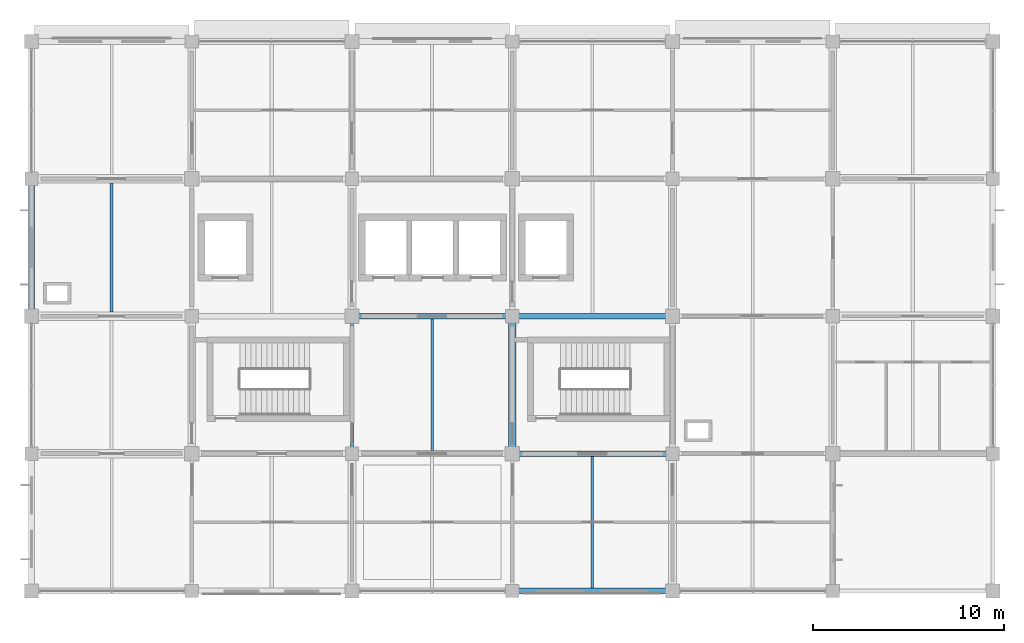
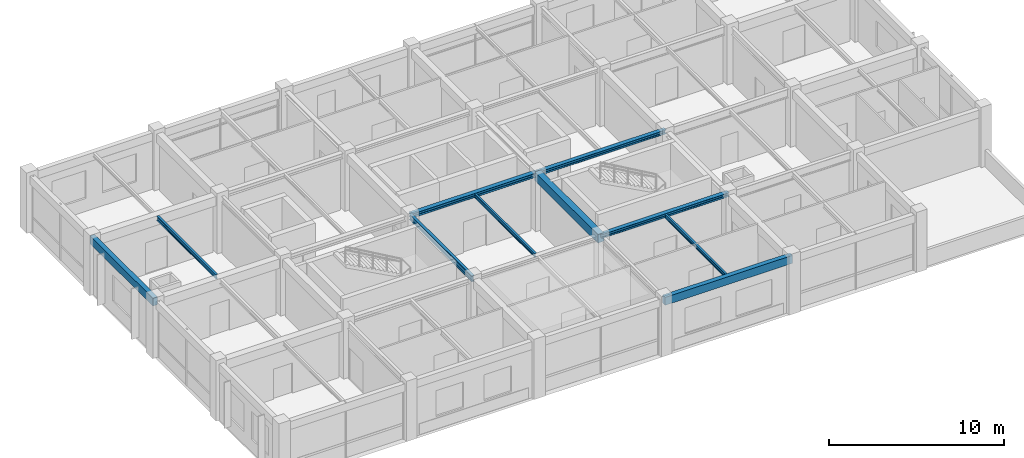
# One storey, part 3 of 14: 10 beams.
"""IFC4 building model written with IfcOpenShell, lengths in metres."""

from ifc_helpers import new_model, si_unit, derived_unit, direction, frame, origin, origin_2d, place, context, subcontext, project, spatial, rectangle, i_section, extrude, material, material_profile, profile_set, type_object, element, save


model = new_model("IFC4")

# Units and contexts
model_context = context("Model", 3, precision=1e-05, world=origin(), true_north=direction((0.0, 1.0)))
body_context = subcontext(model_context, "Body", "Model", "MODEL_VIEW")
ifc_project = project(units=[si_unit("LENGTHUNIT", "METRE"), si_unit("AREAUNIT", "SQUARE_METRE"), si_unit("VOLUMEUNIT", "CUBIC_METRE"), si_unit("PLANEANGLEUNIT", "RADIAN"), si_unit("MASSUNIT", "GRAM", prefix="KILO"), derived_unit("THERMALTRANSMITTANCEUNIT", [(si_unit("MASSUNIT", "GRAM", prefix="KILO"), 1), (si_unit("TIMEUNIT", "SECOND"), -3), (si_unit("THERMODYNAMICTEMPERATUREUNIT", "KELVIN"), -1)])], contexts=[model_context])

# Site, building, storey
site_placement = place(None, origin())
site = spatial("IfcSite", under=ifc_project, at=site_placement, CompositionType="ELEMENT")
building_placement = place(site_placement, origin())
building = spatial("IfcBuilding", under=site, at=building_placement, Name="Veldstrom Oceanarium and Marine Research Institute", CompositionType="ELEMENT")
storey_placement = place(building_placement, frame((0.0, 0.0, 35.39990234375)))
storey = spatial("IfcBuildingStorey", under=building, at=storey_placement, Name="L07", CompositionType="ELEMENT", Elevation=35.39990234375)

# Beams
ifc_material_1 = material(Name="Concrete C40/50", Category="concrete")
ifc_material_profile_1 = material_profile(ifc_material_1, rectangle(XDim=0.39990234375, YDim=0.60009765625, at=origin_2d()), Name="RC-BM-400x600")
ifc_profile_set_1 = profile_set([ifc_material_profile_1], Name="Concrete C40/50")
beam_type_1 = type_object("IfcBeamType", Name="STR-BM-B06", PredefinedType="BEAM", material=ifc_profile_set_1)
beam_1_placement = place(storey_placement, frame((92.39990234375, 50.39990234375, 3.614990234375), z_axis=(0.0, 1.0, 0.0), x_axis=(-1.0, 0.0, 0.0)))
element("IfcBeam", 1, at=beam_1_placement, inside=storey, type_object=beam_type_1, Name="Primary Beam B06 L07-2374", PredefinedType="BEAM", context=body_context, shape_type="SweptSolid", body=[
    extrude(rectangle(XDim=0.39990234375, YDim=0.60009765625, at=origin_2d()), origin(), (0.0, 0.0, 1.0), 7.2001953125),
])
ifc_material_2 = material(Name="Steel S355JR", Category="steel")
ifc_material_profile_2 = material_profile(ifc_material_2, i_section(OverallWidth=0.300048828125, OverallDepth=0.2900390625, WebThickness=0.008544921875, FlangeThickness=0.013916015625, FilletRadius=0.027099609375, at=origin_2d()), Name="HEA 300")
ifc_profile_set_2 = profile_set([ifc_material_profile_2], Name="Steel S355JR")
beam_type_2 = type_object("IfcBeamType", Name="STR-BM-SB10", PredefinedType="BEAM", material=ifc_profile_set_2)
beam_2_placement = place(storey_placement, frame((84.0, 57.60009765625, 3.77001953125), z_axis=(1.0, 0.0, 0.0), x_axis=(0.0, 1.0, 0.0)))
element("IfcBeam", 2, at=beam_2_placement, inside=storey, type_object=beam_type_2, Name="Steel Floor Girder SB10 L07-2344", PredefinedType="BEAM", context=body_context, shape_type="SweptSolid", body=[
    extrude(i_section(OverallWidth=0.300048828125, OverallDepth=0.2900390625, WebThickness=0.008544921875, FlangeThickness=0.013916015625, FilletRadius=0.027099609375, at=origin_2d()), origin(), (0.0, 0.0, 1.0), 8.39990234375),
])
ifc_material_3 = material(Name="Steel S355JR", Category="steel")
ifc_material_profile_3 = material_profile(ifc_material_3, i_section(OverallWidth=0.280029296875, OverallDepth=0.27001953125, WebThickness=0.008056640625, FlangeThickness=0.012939453125, FilletRadius=0.02392578125, at=origin_2d()), Name="HEA 280")
ifc_profile_set_3 = profile_set([ifc_material_profile_3], Name="Steel S355JR")
beam_type_3 = type_object("IfcBeamType", Name="STR-BM-SB11", PredefinedType="BEAM", material=ifc_profile_set_3)
for number, where, z_axis, x_axis, name in (
    (3, (92.39990234375, 50.39990234375, 3.780029296875), (1.0, 0.0, 0.0), (0.0, 1.0, 0.0), "Steel Floor Girder SB11 L07-2348"),
    (4, (92.39990234375, 57.60009765625, 3.780029296875), (1.0, 0.0, 0.0), (0.0, 1.0, 0.0), "Steel Floor Girder SB11 L07-2349"),
):
    element("IfcBeam", number, at=place(storey_placement, frame(where, z_axis=z_axis, x_axis=x_axis)), inside=storey, type_object=beam_type_3, Name=name, PredefinedType="BEAM", context=body_context, shape_type="SweptSolid", body=[
        extrude(i_section(OverallWidth=0.280029296875, OverallDepth=0.27001953125, WebThickness=0.008056640625, FlangeThickness=0.012939453125, FilletRadius=0.02392578125, at=origin_2d()), origin(), (0.0, 0.0, 1.0), 8.400146484375),
    ])
ifc_material_4 = material(Name="Steel S355JR", Category="steel")
ifc_material_profile_4 = material_profile(ifc_material_4, i_section(OverallWidth=0.179931640625, OverallDepth=0.39990234375, WebThickness=0.008544921875, FlangeThickness=0.013427734375, FilletRadius=0.02099609375, at=origin_2d()), Name="IPE 400")
ifc_profile_set_4 = profile_set([ifc_material_profile_4], Name="Steel S355JR")
beam_type_4 = type_object("IfcBeamType", Name="STR-BM-SB8", PredefinedType="BEAM", material=ifc_profile_set_4)
beam_3_placement = place(storey_placement, frame((84.0, 50.39990234375, 3.715087890625), z_axis=(0.0, 1.0, 0.0), x_axis=(-1.0, 0.0, 0.0)))
element("IfcBeam", 5, at=beam_3_placement, inside=storey, type_object=beam_type_4, Name="Steel Tie Beam SB8 L07-2370", PredefinedType="BEAM", context=body_context, shape_type="SweptSolid", body=[
    extrude(i_section(OverallWidth=0.179931640625, OverallDepth=0.39990234375, WebThickness=0.008544921875, FlangeThickness=0.013427734375, FilletRadius=0.02099609375, at=origin_2d()), origin(), (0.0, 0.0, 1.0), 7.2001953125),
])
ifc_material_5 = material(Name="Steel S355JR", Category="steel")
ifc_material_profile_5 = material_profile(ifc_material_5, i_section(OverallWidth=0.14990234375, OverallDepth=0.300048828125, WebThickness=0.007080078125, FlangeThickness=0.0107421875, FilletRadius=0.014892578125, at=origin_2d()), Name="IPE 300")
ifc_profile_set_5 = profile_set([ifc_material_profile_5], Name="Steel S355JR")
beam_type_5 = type_object("IfcBeamType", Name="STR-JST-SJ2", PredefinedType="JOIST", material=ifc_profile_set_5)
beam_4_placement = place(storey_placement, frame((71.39990234375, 57.824951171875, 3.76513671875), z_axis=(0.0, 1.0, 0.0), x_axis=(-1.0, 0.0, 0.0)))
element("IfcBeam", 6, at=beam_4_placement, inside=storey, type_object=beam_type_5, Name="Secondary Joist SJ2 L07-2390", PredefinedType="JOIST", context=body_context, shape_type="SweptSolid", body=[
    extrude(i_section(OverallWidth=0.14990234375, OverallDepth=0.300048828125, WebThickness=0.007080078125, FlangeThickness=0.0107421875, FilletRadius=0.014892578125, at=origin_2d()), origin(), (0.0, 0.0, 1.0), 6.75),
])
ifc_material_6 = material(Name="Steel S355JR", Category="steel")
ifc_material_profile_6 = material_profile(ifc_material_6, i_section(OverallWidth=0.135009765625, OverallDepth=0.27001953125, WebThickness=0.006591796875, FlangeThickness=0.01025390625, FilletRadius=0.014892578125, at=origin_2d()), Name="IPE 270")
ifc_profile_set_6 = profile_set([ifc_material_profile_6], Name="Steel S355JR")
beam_type_6 = type_object("IfcBeamType", Name="STR-JST-SJ3", PredefinedType="JOIST", material=ifc_profile_set_6)
beam_5_placement = place(storey_placement, frame((88.199951171875, 50.550048828125, 3.780029296875), z_axis=(0.0, 1.0, 0.0), x_axis=(-1.0, 0.0, 0.0)))
element("IfcBeam", 7, at=beam_5_placement, inside=storey, type_object=beam_type_6, Name="Secondary Joist SJ3 L07-2396", PredefinedType="JOIST", context=body_context, shape_type="SweptSolid", body=[
    extrude(i_section(OverallWidth=0.135009765625, OverallDepth=0.27001953125, WebThickness=0.006591796875, FlangeThickness=0.01025390625, FilletRadius=0.014892578125, at=origin_2d()), origin(), (0.0, 0.0, 1.0), 6.89990234375),
])
beam_6_placement = place(storey_placement, frame((96.60009765625, 43.35009765625, 3.780029296875), z_axis=(0.0, 1.0, 0.0), x_axis=(-1.0, 0.0, 0.0)))
element("IfcBeam", 8, at=beam_6_placement, inside=storey, type_object=beam_type_6, Name="Secondary Joist SJ3 L07-2398", PredefinedType="JOIST", context=body_context, shape_type="SweptSolid", body=[
    extrude(i_section(OverallWidth=0.135009765625, OverallDepth=0.27001953125, WebThickness=0.006591796875, FlangeThickness=0.01025390625, FilletRadius=0.014892578125, at=origin_2d()), origin(), (0.0, 0.0, 1.0), 6.909912109375),
])
ifc_material_7 = material(Name="Concrete C40/50", Category="concrete")
ifc_material_profile_7 = material_profile(ifc_material_7, rectangle(XDim=0.300048828125, YDim=0.550048828125, at=origin_2d()), Name="RC-SPN-300x550")
ifc_profile_set_7 = profile_set([ifc_material_profile_7], Name="Concrete C40/50")
beam_type_7 = type_object("IfcBeamType", Name="STR-SPN-SP2", PredefinedType="SPANDREL", material=ifc_profile_set_7)
beam_7_placement = place(storey_placement, frame((92.39990234375, 43.199951171875, 3.64013671875), z_axis=(1.0, 0.0, 0.0), x_axis=(0.0, 1.0, 0.0)))
element("IfcBeam", 9, at=beam_7_placement, inside=storey, type_object=beam_type_7, Name="Perimeter Spandrel SPB2 L07-2347", PredefinedType="SPANDREL", context=body_context, shape_type="SweptSolid", body=[
    extrude(rectangle(XDim=0.300048828125, YDim=0.550048828125, at=origin_2d()), origin(), (0.0, 0.0, 1.0), 8.400146484375),
])
beam_8_placement = place(storey_placement, frame((67.199951171875, 57.60009765625, 3.64013671875), z_axis=(0.0, 1.0, 0.0), x_axis=(-1.0, 0.0, 0.0)))
element("IfcBeam", 10, at=beam_8_placement, inside=storey, type_object=beam_type_7, Name="Perimeter Spandrel SPB2 L07-2363", PredefinedType="SPANDREL", context=body_context, shape_type="SweptSolid", body=[
    extrude(rectangle(XDim=0.300048828125, YDim=0.550048828125, at=origin_2d()), origin(), (0.0, 0.0, 1.0), 7.199951171875),
])

save(model, "model.ifc")
